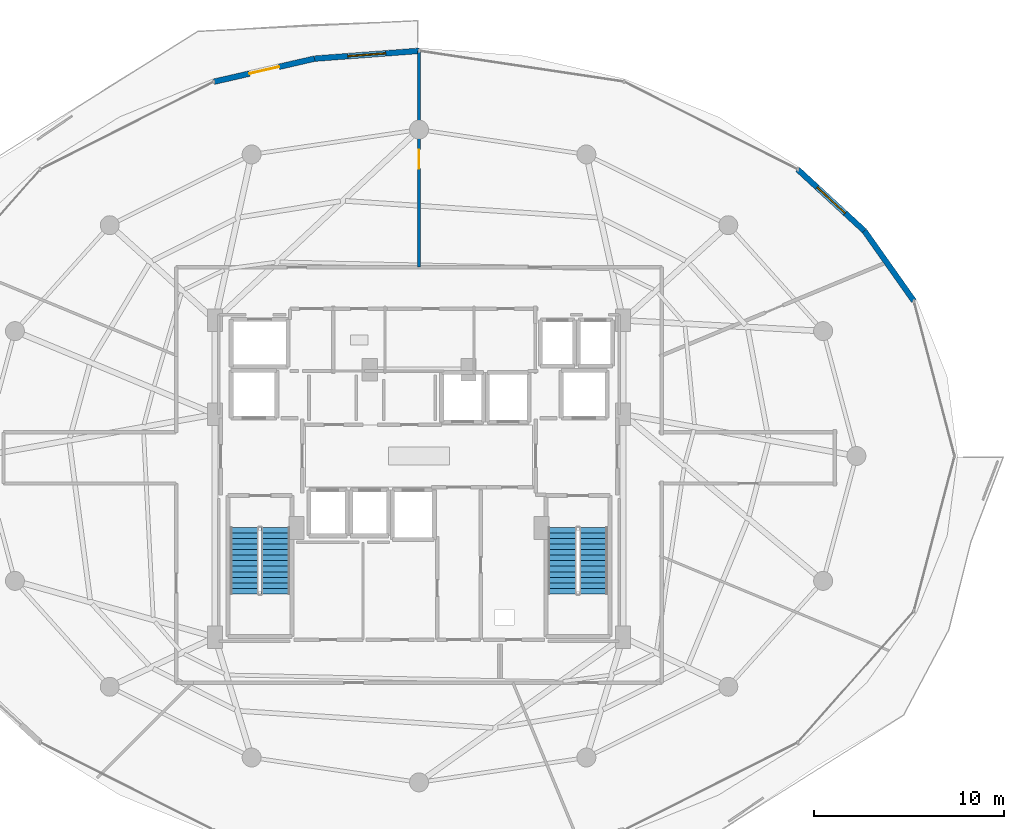
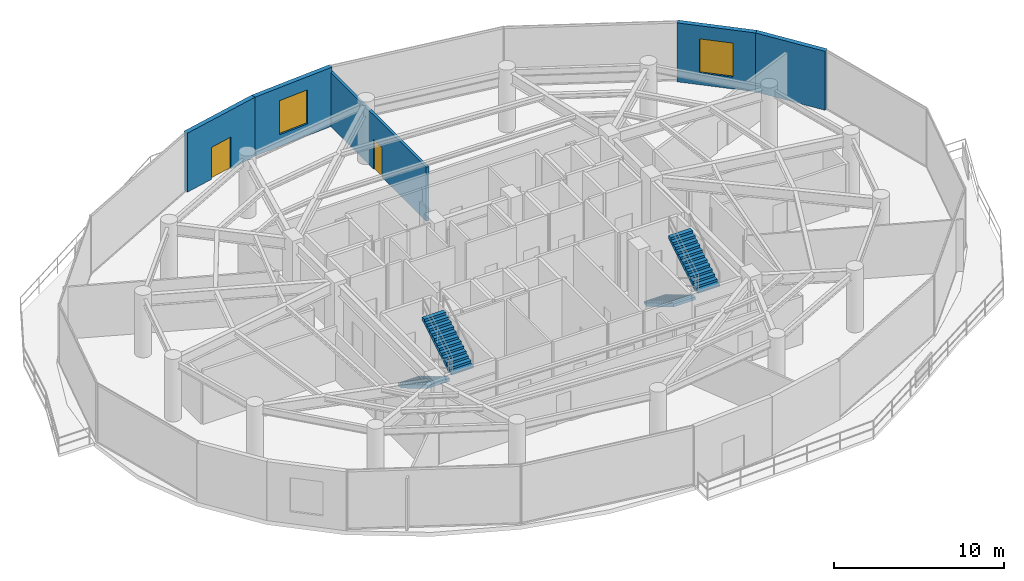
# One storey, part 27 of 31: 5 walls, 4 stair flights, 2 doors, 2 windows, 4 openings, 2 elements without a shape of their own.
"""IFC4 building model written with IfcOpenShell, lengths in metres."""

from ifc_helpers import new_model, si_unit, direction, frame, frame_2d, origin, place, context, subcontext, project, spatial, polyline, rectangle, outline, extrude, material, layer, layer_set, type_object, element, fill, aggregate, save


model = new_model("IFC4")

# Units and contexts
model_context = context("Model", 3, precision=1e-05, world=origin(), true_north=direction((0.0, 1.0)))
body_context = subcontext(model_context, "Body", "Model", "MODEL_VIEW")
ifc_project = project(units=[si_unit("LENGTHUNIT", "METRE"), si_unit("AREAUNIT", "SQUARE_METRE"), si_unit("VOLUMEUNIT", "CUBIC_METRE"), si_unit("PLANEANGLEUNIT", "RADIAN"), si_unit("MASSUNIT", "GRAM", prefix="KILO")], contexts=[model_context])

# Site, building, storey
site_placement = place(None, origin())
site = spatial("IfcSite", under=ifc_project, at=site_placement, CompositionType="ELEMENT")
building_placement = place(site_placement, origin())
building = spatial("IfcBuilding", under=site, at=building_placement, Name="Vorneva Point Tower", CompositionType="ELEMENT")
storey_placement = place(building_placement, frame((0.0, 0.0, 174.60009765625)))
storey = spatial("IfcBuildingStorey", under=building, at=storey_placement, Name="L47", CompositionType="ELEMENT", Elevation=174.60009765625)

# Wall
ifc_material_1 = material(Name="Precast concrete B50 (C40/50)", Category="concrete")
ifc_layer_1 = layer(ifc_material_1, 0.300048828125)
ifc_layer_set_1 = layer_set([ifc_layer_1], Name="Precast concrete B50 (C40/50)")
wall_type_1 = type_object("IfcWallType", Name="WL-EXT-300", PredefinedType="STANDARD", material=ifc_layer_set_1)
wall_1_placement = place(storey_placement, frame((64.0810546875, 34.17041015625, 0.0), z_axis=(0.0, 0.0, 1.0), x_axis=(-0.577168747264, 0.81662490605, 0.0)))
element("IfcWall", 1, at=wall_1_placement, inside=storey, type_object=wall_type_1, Name="L47 Pale-Metal Facade Spandrel Wall 02.1", PredefinedType="STANDARD", context=body_context, shape_type="SweptSolid", body=[
    extrude(rectangle(XDim=4.519775390625, YDim=0.300048828125, at=frame_2d((2.259765625, 0.0))), origin(), (0.0, 0.0, 1.0), 4.239990234375),
])

# Wall, opening, window
wall_2_placement = place(storey_placement, frame((61.472412109375, 37.861328125, 0.0), z_axis=(0.0, 0.0, 1.0), x_axis=(-0.735359993374, 0.677676678177, 0.0)))
wall_2 = element("IfcWall", 2, at=wall_2_placement, inside=storey, type_object=wall_type_1, Name="L47 Pale-Metal Facade Spandrel Wall 02.2", PredefinedType="STANDARD", context=body_context, shape_type="SweptSolid", body=[
    extrude(rectangle(XDim=4.774169921875, YDim=0.300048828125, at=frame_2d((2.38720703125, 0.0))), origin(), (0.0, 0.0, 1.0), 4.239990234375),
])
opening_1_placement = place(wall_2_placement, frame((1.38720703125, 0.0, 0.85009765625)))
opening_1 = element("IfcOpeningElement", 3, at=opening_1_placement, cuts=wall_2, Name="Opening W-07", PredefinedType="OPENING", context=body_context, shape_type="SweptSolid", body=[
    extrude(rectangle(XDim=2.0, YDim=2.449951171875, at=frame_2d((1.0, 1.22509765625))), frame((0.0, 0.1650390625, 0.0), z_axis=(0.0, -1.0, 0.0), x_axis=(1.0, 0.0, 0.0)), (0.0, 0.0, 1.0), 0.329833984375),
])
ifc_material_2 = material(Name="Double low-e laminated glass IGU", Category="glass")
window_type = type_object("IfcWindowType", Name="WN-SKY-2000", PartitioningType="SINGLE_PANEL", PredefinedType="WINDOW", material=ifc_material_2)
window_1_placement = place(opening_1_placement, origin())
window_1 = element("IfcWindow", 4, at=window_1_placement, inside=storey, type_object=window_type, Name="L47 Facade Window 02", OverallHeight=2.449951171875, OverallWidth=2.0, PartitioningType="SINGLE_PANEL", PredefinedType="WINDOW", context=body_context, shape_type="SweptSolid", body=[
    extrude(rectangle(XDim=2.0, YDim=2.449951171875, at=frame_2d((1.0, 1.22509765625))), frame((0.0, 0.030029296875, 0.0), z_axis=(0.0, -1.0, 0.0), x_axis=(1.0, 0.0, 0.0)), (0.0, 0.0, 1.0), 0.06005859375),
])
fill(opening_1, window_1)

wall_3_placement = place(storey_placement, frame((38.0, 47.35009765625, 0.0), z_axis=(0.0, 0.0, 1.0), x_axis=(-0.997234968529, -0.074312970214, 0.0)))
wall_3 = element("IfcWall", 5, at=wall_3_placement, inside=storey, type_object=wall_type_1, Name="L47 Pale-Metal Facade Spandrel Wall 05.1", PredefinedType="STANDARD", context=body_context, shape_type="SweptSolid", body=[
    extrude(rectangle(XDim=5.522705078125, YDim=0.300048828125, at=frame_2d((2.76123046875, 0.0))), origin(), (0.0, 0.0, 1.0), 4.239990234375),
])
opening_2_placement = place(wall_3_placement, frame((1.76123046875, 0.0, 0.85009765625)))
opening_2 = element("IfcOpeningElement", 6, at=opening_2_placement, cuts=wall_3, Name="Opening W-07", PredefinedType="OPENING", context=body_context, shape_type="SweptSolid", body=[
    extrude(rectangle(XDim=2.0, YDim=2.449951171875, at=frame_2d((1.0, 1.22509765625))), frame((0.0, 0.1650390625, 0.0), z_axis=(0.0, -1.0, 0.0), x_axis=(1.0, 0.0, 0.0)), (0.0, 0.0, 1.0), 0.329833984375),
])
window_2_placement = place(opening_2_placement, origin())
window_2 = element("IfcWindow", 7, at=window_2_placement, inside=storey, type_object=window_type, Name="L47 Facade Window 05", OverallHeight=2.449951171875, OverallWidth=2.0, PartitioningType="SINGLE_PANEL", PredefinedType="WINDOW", context=body_context, shape_type="SweptSolid", body=[
    extrude(rectangle(XDim=2.0, YDim=2.449951171875, at=frame_2d((1.0, 1.22509765625))), frame((0.0, 0.030029296875, 0.0), z_axis=(0.0, -1.0, 0.0), x_axis=(1.0, 0.0, 0.0)), (0.0, 0.0, 1.0), 0.06005859375),
])
fill(opening_2, window_2)

# Wall, opening, door
wall_4_placement = place(storey_placement, frame((32.49267578125, 46.939697265625, 0.0), z_axis=(0.0, 0.0, 1.0), x_axis=(-0.974684194578, -0.223586047954, 0.0)))
wall_4 = element("IfcWall", 8, at=wall_4_placement, inside=storey, type_object=wall_type_1, Name="L47 Pale-Metal Facade Spandrel Wall 05.2", PredefinedType="STANDARD", context=body_context, shape_type="SweptSolid", body=[
    extrude(rectangle(XDim=5.433349609375, YDim=0.300048828125, at=frame_2d((2.716796875, 0.0))), origin(), (0.0, 0.0, 1.0), 4.239990234375),
])
opening_3_placement = place(wall_4_placement, frame((1.916748046875, 0.0, 0.0)))
opening_3 = element("IfcOpeningElement", 9, at=opening_3_placement, cuts=wall_4, Name="Opening BD-01", PredefinedType="OPENING", context=body_context, shape_type="SweptSolid", body=[
    extrude(rectangle(XDim=1.60009765625, YDim=2.300048828125, at=frame_2d((0.800048828125, 1.14990234375))), frame((0.0, 0.1650390625, 0.0), z_axis=(0.0, -1.0, 0.0), x_axis=(1.0, 0.0, 0.0)), (0.0, 0.0, 1.0), 0.329833984375),
])
ifc_material_3 = material(Name="Pale anodised aluminium", Category="aluminium")
door_type_1 = type_object("IfcDoorType", Name="DR-BAL-1600", OperationType="SLIDING_TO_LEFT", PredefinedType="DOOR", material=ifc_material_3)
door_1_placement = place(opening_3_placement, origin())
door_1 = element("IfcDoor", 10, at=door_1_placement, inside=storey, type_object=door_type_1, Name="L47 Balcony Terrace Access Door 05", OperationType="SLIDING_TO_LEFT", OverallHeight=2.300048828125, OverallWidth=1.60009765625, PredefinedType="DOOR", context=body_context, shape_type="SweptSolid", body=[
    extrude(rectangle(XDim=1.60009765625, YDim=2.300048828125, at=frame_2d((0.800048828125, 1.14990234375))), frame((0.0, 0.02490234375, 0.0), z_axis=(0.0, -1.0, 0.0), x_axis=(1.0, 0.0, 0.0)), (0.0, 0.0, 1.0), 0.050048828125),
])
fill(opening_3, door_1)

ifc_material_4 = material(Name="Autoclaved aerated concrete blockwork", Category="masonry")
ifc_layer_2 = layer(ifc_material_4, 0.179931640625)
ifc_layer_set_2 = layer_set([ifc_layer_2], Name="Autoclaved aerated concrete blockwork")
wall_type_2 = type_object("IfcWallType", Name="WL-PART-180", PredefinedType="PARTITIONING", material=ifc_layer_set_2)
wall_5_placement = place(storey_placement, frame((38.0, 47.35009765625, 0.0), z_axis=(0.0, 0.0, 1.0), x_axis=(0.0, -1.0, 0.0)))
wall_5 = element("IfcWall", 11, at=wall_5_placement, inside=storey, type_object=wall_type_2, Name="L47 Interior Partition 047", PredefinedType="PARTITIONING", context=body_context, shape_type="SweptSolid", body=[
    extrude(rectangle(XDim=11.400146484375, YDim=0.179931640625, at=frame_2d((5.7001953125, 0.0))), origin(), (0.0, 0.0, 1.0), 3.885986328125),
])
opening_4_placement = place(wall_5_placement, frame((5.199951171875, 0.0, 0.0)))
opening_4 = element("IfcOpeningElement", 12, at=opening_4_placement, cuts=wall_5, Name="Opening UD-01", PredefinedType="OPENING", context=body_context, shape_type="SweptSolid", body=[
    extrude(rectangle(XDim=1.0, YDim=2.14990234375, at=frame_2d((0.5, 1.074951171875))), frame((0.0, 0.10498046875, 0.0), z_axis=(0.0, -1.0, 0.0), x_axis=(1.0, 0.0, 0.0)), (0.0, 0.0, 1.0), 0.209716796875),
])
ifc_material_5 = material(Name="Engineered oak fire-rated door leaf", Category="wood")
door_type_2 = type_object("IfcDoorType", Name="DR-UNIT-1000", OperationType="NOTDEFINED", PredefinedType="DOOR", material=ifc_material_5)
door_2_placement = place(opening_4_placement, origin())
door_2 = element("IfcDoor", 13, at=door_2_placement, inside=storey, type_object=door_type_2, Name="L47 Door Transfer Sky Lobby L47 / Sky Lounge L47", OperationType="SINGLE_SWING_RIGHT", OverallHeight=2.14990234375, OverallWidth=1.0, PredefinedType="DOOR", context=body_context, shape_type="SweptSolid", body=[
    extrude(rectangle(XDim=1.0, YDim=2.14990234375, at=frame_2d((0.5, 1.074951171875))), frame((0.0, 0.02490234375, 0.0), z_axis=(0.0, -1.0, 0.0), x_axis=(1.0, 0.0, 0.0)), (0.0, 0.0, 1.0), 0.050048828125),
])
fill(opening_4, door_2)

# Stair, stair flights
ifc_material_6 = material(Name="Concrete B50 (C40/50)", Category="concrete")
stair_type = type_object("IfcStairType", Name="ST-DOG-1500", PredefinedType="HALF_TURN_STAIR", material=ifc_material_6)
stair_1_placement = place(storey_placement, origin())
stair_1 = element("IfcStair", 14, at=stair_1_placement, inside=storey, type_object=stair_type, Name="L47 ST1", PredefinedType="HALF_TURN_STAIR")
stair_flight_type = type_object("IfcStairFlightType", Name="STF-1500", PredefinedType="STRAIGHT", material=ifc_material_6)
stair_flight_1_placement = place(storey_placement, frame((28.800048828125, 22.219970703125, 0.0), z_axis=(0.0, 0.0, 1.0), x_axis=(0.0, -1.0, 0.0)))
stair_flight_1 = element("IfcStairFlight", 15, at=stair_flight_1_placement, type_object=stair_flight_type, Name="ST1 flight 1", NumberOfRisers=13, NumberOfTreads=12, PredefinedType="STRAIGHT", RiserHeight=0.173076923, TreadLength=0.29, context=body_context, shape_type="SweptSolid", body=[
    extrude(outline(polyline([(0.0, 0.0), (0.0, 0.173095703125), (0.2900390625, 0.173095703125), (0.2900390625, 0.34619140625), (0.580078125, 0.34619140625), (0.580078125, 0.519287109375), (0.8701171875, 0.519287109375), (0.8701171875, 0.6923828125), (1.159912109375, 0.6923828125), (1.159912109375, 0.865478515625), (1.449951171875, 0.865478515625), (1.449951171875, 1.03857421875), (1.739990234375, 1.03857421875), (1.739990234375, 1.21142578125), (2.030029296875, 1.21142578125), (2.030029296875, 1.384521484375), (2.320068359375, 1.384521484375), (2.320068359375, 1.5576171875), (2.610107421875, 1.5576171875), (2.610107421875, 1.730712890625), (2.89990234375, 1.730712890625), (2.89990234375, 1.90380859375), (3.18994140625, 1.90380859375), (3.18994140625, 2.076904296875), (3.47998046875, 2.076904296875), (3.47998046875, 2.25), (3.47998046875, 1.867431640625), (0.35107421875, 0.0), (0.0, 0.0)])), frame((0.0, 0.75, 0.0), z_axis=(0.0, -1.0, 0.0), x_axis=(1.0, 0.0, 0.0)), (0.0, 0.0, 1.0), 1.5),
])
stair_flight_2_placement = place(storey_placement, frame((30.449951171875, 18.739990234375, 2.25), z_axis=(0.0, 0.0, 1.0), x_axis=(0.0, 1.0, 0.0)))
stair_flight_2 = element("IfcStairFlight", 16, at=stair_flight_2_placement, type_object=stair_flight_type, Name="ST1 flight 2", NumberOfRisers=13, NumberOfTreads=12, PredefinedType="STRAIGHT", RiserHeight=0.173076923, TreadLength=0.29, context=body_context, shape_type="SweptSolid", body=[
    extrude(outline(polyline([(0.0, 0.0), (0.0, 0.173095703125), (0.2900390625, 0.173095703125), (0.2900390625, 0.34619140625), (0.580078125, 0.34619140625), (0.580078125, 0.519287109375), (0.8701171875, 0.519287109375), (0.8701171875, 0.6923828125), (1.159912109375, 0.6923828125), (1.159912109375, 0.865478515625), (1.449951171875, 0.865478515625), (1.449951171875, 1.03857421875), (1.739990234375, 1.03857421875), (1.739990234375, 1.21142578125), (2.030029296875, 1.21142578125), (2.030029296875, 1.384521484375), (2.320068359375, 1.384521484375), (2.320068359375, 1.5576171875), (2.610107421875, 1.5576171875), (2.610107421875, 1.730712890625), (2.89990234375, 1.730712890625), (2.89990234375, 1.90380859375), (3.18994140625, 1.90380859375), (3.18994140625, 2.076904296875), (3.47998046875, 2.076904296875), (3.47998046875, 2.25), (3.47998046875, 1.867431640625), (0.35107421875, 0.0), (0.0, 0.0)])), frame((0.0, 0.75, 0.0), z_axis=(0.0, -1.0, 0.0), x_axis=(1.0, 0.0, 0.0)), (0.0, 0.0, 1.0), 1.5),
])
aggregate(stair_1, [stair_flight_1, stair_flight_2])

stair_2_placement = place(storey_placement, origin())
stair_2 = element("IfcStair", 17, at=stair_2_placement, inside=storey, type_object=stair_type, Name="L47 ST2", PredefinedType="HALF_TURN_STAIR")
stair_flight_3_placement = place(storey_placement, frame((45.550048828125, 22.219970703125, 0.0), z_axis=(0.0, 0.0, 1.0), x_axis=(0.0, -1.0, 0.0)))
stair_flight_3 = element("IfcStairFlight", 18, at=stair_flight_3_placement, type_object=stair_flight_type, Name="ST2 flight 1", NumberOfRisers=13, NumberOfTreads=12, PredefinedType="STRAIGHT", RiserHeight=0.173076923, TreadLength=0.29, context=body_context, shape_type="SweptSolid", body=[
    extrude(outline(polyline([(0.0, 0.0), (0.0, 0.173095703125), (0.2900390625, 0.173095703125), (0.2900390625, 0.34619140625), (0.580078125, 0.34619140625), (0.580078125, 0.519287109375), (0.8701171875, 0.519287109375), (0.8701171875, 0.6923828125), (1.159912109375, 0.6923828125), (1.159912109375, 0.865478515625), (1.449951171875, 0.865478515625), (1.449951171875, 1.03857421875), (1.739990234375, 1.03857421875), (1.739990234375, 1.21142578125), (2.030029296875, 1.21142578125), (2.030029296875, 1.384521484375), (2.320068359375, 1.384521484375), (2.320068359375, 1.5576171875), (2.610107421875, 1.5576171875), (2.610107421875, 1.730712890625), (2.89990234375, 1.730712890625), (2.89990234375, 1.90380859375), (3.18994140625, 1.90380859375), (3.18994140625, 2.076904296875), (3.47998046875, 2.076904296875), (3.47998046875, 2.25), (3.47998046875, 1.867431640625), (0.35107421875, 0.0), (0.0, 0.0)])), frame((0.0, 0.75, 0.0), z_axis=(0.0, -1.0, 0.0), x_axis=(1.0, 0.0, 0.0)), (0.0, 0.0, 1.0), 1.5),
])
stair_flight_4_placement = place(storey_placement, frame((47.199951171875, 18.739990234375, 2.25), z_axis=(0.0, 0.0, 1.0), x_axis=(0.0, 1.0, 0.0)))
stair_flight_4 = element("IfcStairFlight", 19, at=stair_flight_4_placement, type_object=stair_flight_type, Name="ST2 flight 2", NumberOfRisers=13, NumberOfTreads=12, PredefinedType="STRAIGHT", RiserHeight=0.173076923, TreadLength=0.29, context=body_context, shape_type="SweptSolid", body=[
    extrude(outline(polyline([(0.0, 0.0), (0.0, 0.173095703125), (0.2900390625, 0.173095703125), (0.2900390625, 0.34619140625), (0.580078125, 0.34619140625), (0.580078125, 0.519287109375), (0.8701171875, 0.519287109375), (0.8701171875, 0.6923828125), (1.159912109375, 0.6923828125), (1.159912109375, 0.865478515625), (1.449951171875, 0.865478515625), (1.449951171875, 1.03857421875), (1.739990234375, 1.03857421875), (1.739990234375, 1.21142578125), (2.030029296875, 1.21142578125), (2.030029296875, 1.384521484375), (2.320068359375, 1.384521484375), (2.320068359375, 1.5576171875), (2.610107421875, 1.5576171875), (2.610107421875, 1.730712890625), (2.89990234375, 1.730712890625), (2.89990234375, 1.90380859375), (3.18994140625, 1.90380859375), (3.18994140625, 2.076904296875), (3.47998046875, 2.076904296875), (3.47998046875, 2.25), (3.47998046875, 1.867431640625), (0.35107421875, 0.0), (0.0, 0.0)])), frame((0.0, 0.75, 0.0), z_axis=(0.0, -1.0, 0.0), x_axis=(1.0, 0.0, 0.0)), (0.0, 0.0, 1.0), 1.5),
])
aggregate(stair_2, [stair_flight_3, stair_flight_4])

save(model, "model.ifc")
